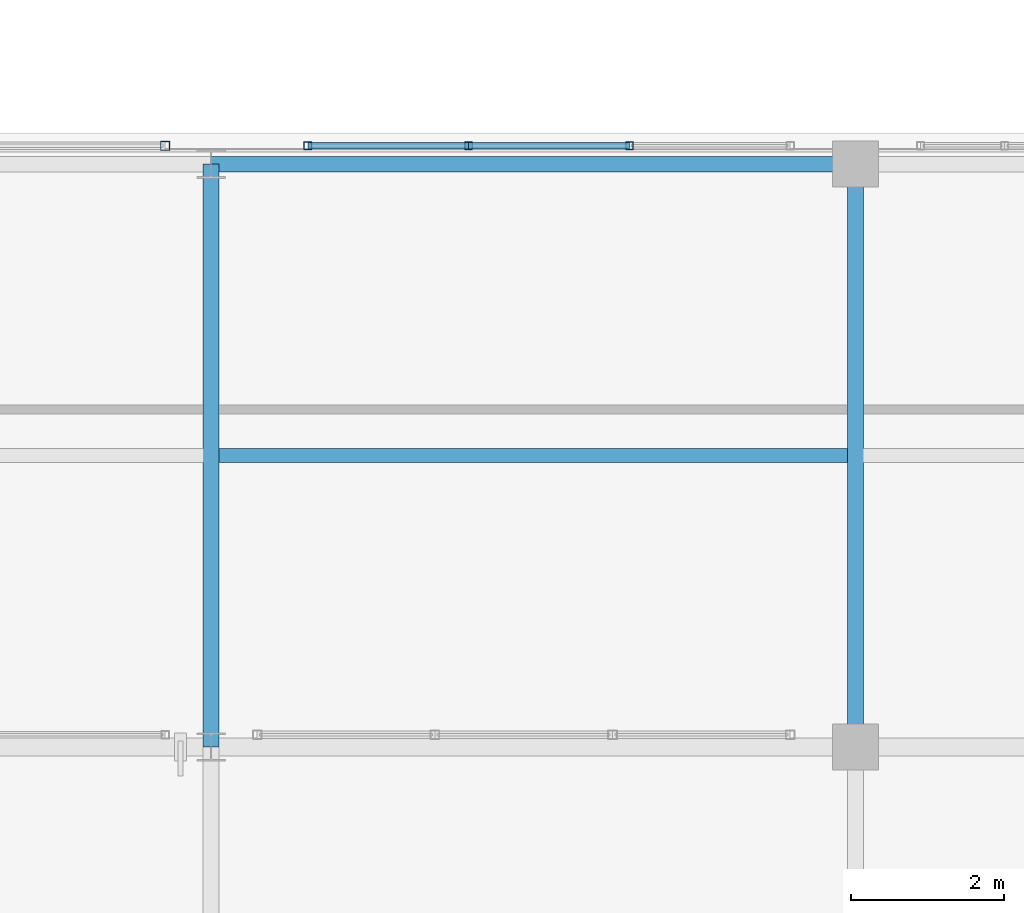
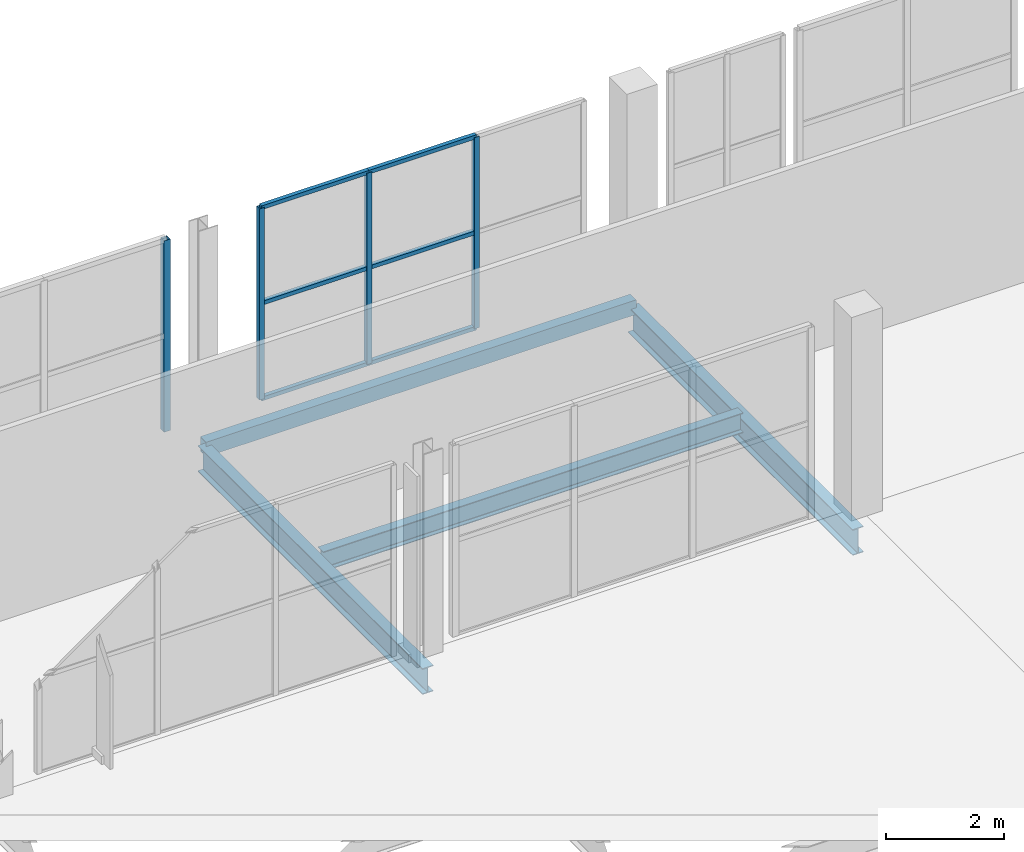
# One storey, part 34 of 217: 10 members, 4 beams, 2 elements without a shape of their own.
"""IFC4 building model written with IfcOpenShell, lengths in metres."""

from ifc_helpers import new_model, si_unit, direction, frame, origin, origin_2d, place, context, subcontext, project, spatial, hollow_rectangle, i_section, extrude, material, material_profile, profile_set, type_object, element, aggregate, save


model = new_model("IFC4")

# Units and contexts
model_context = context("Model", 3, precision=1e-05, world=origin(), true_north=direction((0.0, 1.0)))
body_context = subcontext(model_context, "Body", "Model", "MODEL_VIEW")
ifc_project = project(units=[si_unit("LENGTHUNIT", "METRE"), si_unit("AREAUNIT", "SQUARE_METRE"), si_unit("VOLUMEUNIT", "CUBIC_METRE"), si_unit("PLANEANGLEUNIT", "RADIAN"), si_unit("MASSUNIT", "GRAM", prefix="KILO")], contexts=[model_context])

# Site, building, storey
site_placement = place(None, origin())
site = spatial("IfcSite", under=ifc_project, at=site_placement, CompositionType="ELEMENT")
building_placement = place(site_placement, origin())
building = spatial("IfcBuilding", under=site, at=building_placement, Name="Zuvorla Pavilion Media Centre", CompositionType="ELEMENT")
storey_placement = place(building_placement, frame((0.0, 0.0, 9.60009765625)))
storey = spatial("IfcBuildingStorey", under=building, at=storey_placement, Name="L02", CompositionType="ELEMENT", Elevation=9.60009765625)

# Beams
ifc_material_1 = material(Name="Steel S355", Category="steel")
ifc_material_profile_1 = material_profile(ifc_material_1, hollow_rectangle(XDim=0.199951171875, YDim=0.300048828125, WallThickness=0.012451171875, at=origin_2d()), Name="RHS 300x200x12.5")
ifc_profile_set_1 = profile_set([ifc_material_profile_1], Name="Steel S355")
beam_type_1 = type_object("IfcBeamType", Name="BM-SP-RHS300", PredefinedType="SPANDREL", material=ifc_profile_set_1)
beam_1_placement = place(storey_placement, frame((58.39990234375, 51.60009765625, -0.418212890625), z_axis=(1.0, 0.0, 0.0), x_axis=(0.0, 1.0, 0.0)))
element("IfcBeam", 1, at=beam_1_placement, inside=storey, type_object=beam_type_1, Name="L02 spandrel SP01 840", PredefinedType="SPANDREL", context=body_context, shape_type="SweptSolid", body=[
    extrude(hollow_rectangle(XDim=0.199951171875, YDim=0.300048828125, WallThickness=0.012451171875, at=origin_2d()), origin(), (0.0, 0.0, 1.0), 8.400146484375),
])
ifc_material_profile_2 = material_profile(ifc_material_1, i_section(OverallWidth=0.1787109375, OverallDepth=0.409423828125, WebThickness=0.0087890625, FlangeThickness=0.014404296875, FilletRadius=0.01025390625, at=origin_2d()), Name="UB 406x178x67")
ifc_profile_set_2 = profile_set([ifc_material_profile_2], Name="Steel S355")
beam_type_2 = type_object("IfcBeamType", Name="BM-UB406", PredefinedType="JOIST", material=ifc_profile_set_2)
beam_2_placement = place(storey_placement, frame((58.5, 47.800048828125, -0.472900390625), z_axis=(1.0, 0.0, 0.0), x_axis=(0.0, 1.0, 0.0)))
element("IfcBeam", 2, at=beam_2_placement, inside=storey, type_object=beam_type_2, Name="L02 joist J02 1005", PredefinedType="JOIST", context=body_context, shape_type="SweptSolid", body=[
    extrude(i_section(OverallWidth=0.1787109375, OverallDepth=0.409423828125, WebThickness=0.0087890625, FlangeThickness=0.014404296875, FilletRadius=0.01025390625, at=origin_2d()), origin(), (0.0, 0.0, 1.0), 8.199951171875),
])
ifc_material_profile_3 = material_profile(ifc_material_1, i_section(OverallWidth=0.2099609375, OverallDepth=0.53662109375, WebThickness=0.0107421875, FlangeThickness=0.017333984375, FilletRadius=0.0126953125, at=origin_2d()), Name="UB 533x210x101")
ifc_profile_set_3 = profile_set([ifc_material_profile_3], Name="Steel S355")
beam_type_3 = type_object("IfcBeamType", Name="BM-UB533", PredefinedType="BEAM", material=ifc_profile_set_3)
for number, where, z_axis, x_axis, name in (
    (3, (58.39990234375, 44.0, -0.62646484375), (0.0, 1.0, 0.0), (-1.0, 0.0, 0.0), "L02 beam B08 921"),
    (4, (66.800048828125, 44.0, -0.6962890625), (0.0, 1.0, 0.0), (-1.0, 0.0, 0.0), "L02 beam B08 928"),
):
    element("IfcBeam", number, at=place(storey_placement, frame(where, z_axis=z_axis, x_axis=x_axis)), inside=storey, type_object=beam_type_3, Name=name, PredefinedType="BEAM", context=body_context, shape_type="SweptSolid", body=[
        extrude(i_section(OverallWidth=0.2099609375, OverallDepth=0.53662109375, WebThickness=0.0107421875, FlangeThickness=0.017333984375, FilletRadius=0.0126953125, at=origin_2d()), origin(), (0.0, 0.0, 1.0), 7.60009765625),
    ])

# Curtain wall, members
ifc_material_2 = material(Name="Unitised anodised aluminium and solar glass curtain wall", Category="aluminium")
curtain_wall_type_1 = type_object("IfcCurtainWallType", Name="CW-SYS-36", PredefinedType="USERDEFINED", material=ifc_material_2)
curtain_wall_1_placement = place(storey_placement, origin())
curtain_wall_1 = element("IfcCurtainWall", 5, at=curtain_wall_1_placement, inside=storey, type_object=curtain_wall_type_1, Name="L02 curtain wall CW36 57", ObjectType="CURTAIN WALL", PredefinedType="USERDEFINED")
ifc_material_3 = material(Name="Anodised aluminium 6063-T6", Category="aluminium")
ifc_material_profile_4 = material_profile(ifc_material_3, hollow_rectangle(XDim=0.10009765625, YDim=0.10009765625, WallThickness=0.00439453125, at=origin_2d()), Name="ALU MULL 100x100")
ifc_profile_set_4 = profile_set([ifc_material_profile_4], Name="Anodised aluminium 6063-T6")
member_type_1 = type_object("IfcMemberType", Name="CW-MULL-100", PredefinedType="MULLION", material=ifc_profile_set_4)
member_1_placement = place(storey_placement, frame((59.659912109375, 51.840087890625, 0.0), z_axis=(0.0, 0.0, 1.0), x_axis=(1.0, 0.0, 0.0)))
member_1 = element("IfcMember", 6, at=member_1_placement, type_object=member_type_1, Name="CW36 mullion 1", PredefinedType="MULLION", context=body_context, shape_type="SweptSolid", body=[
    extrude(hollow_rectangle(XDim=0.10009765625, YDim=0.10009765625, WallThickness=0.00439453125, at=origin_2d()), origin(), (0.0, 0.0, 1.0), 3.949951171875),
])
member_2_placement = place(storey_placement, frame((61.756591796875, 51.840087890625, 0.0), z_axis=(0.0, 0.0, 1.0), x_axis=(1.0, 0.0, 0.0)))
member_2 = element("IfcMember", 7, at=member_2_placement, type_object=member_type_1, Name="CW36 mullion 2", PredefinedType="MULLION", context=body_context, shape_type="SweptSolid", body=[
    extrude(hollow_rectangle(XDim=0.10009765625, YDim=0.10009765625, WallThickness=0.00439453125, at=origin_2d()), origin(), (0.0, 0.0, 1.0), 3.949951171875),
])
member_3_placement = place(storey_placement, frame((63.85302734375, 51.840087890625, 0.0), z_axis=(0.0, 0.0, 1.0), x_axis=(1.0, 0.0, 0.0)))
member_3 = element("IfcMember", 8, at=member_3_placement, type_object=member_type_1, Name="CW36 mullion 3", PredefinedType="MULLION", context=body_context, shape_type="SweptSolid", body=[
    extrude(hollow_rectangle(XDim=0.10009765625, YDim=0.10009765625, WallThickness=0.00439453125, at=origin_2d()), origin(), (0.0, 0.0, 1.0), 3.949951171875),
])

# Curtain wall, member
curtain_wall_type_2 = type_object("IfcCurtainWallType", Name="CW-SYS-34", PredefinedType="USERDEFINED", material=ifc_material_2)
curtain_wall_2_placement = place(storey_placement, origin())
curtain_wall_2 = element("IfcCurtainWall", 9, at=curtain_wall_2_placement, inside=storey, type_object=curtain_wall_type_2, Name="L02 curtain wall CW34 55", ObjectType="CURTAIN WALL", PredefinedType="USERDEFINED")
ifc_material_profile_5 = material_profile(ifc_material_3, hollow_rectangle(XDim=0.1201171875, YDim=0.1201171875, WallThickness=0.0048828125, at=origin_2d()), Name="ALU MULL 120x120")
ifc_profile_set_5 = profile_set([ifc_material_profile_5], Name="Anodised aluminium 6063-T6")
member_type_2 = type_object("IfcMemberType", Name="CW-MULL-120", PredefinedType="MULLION", material=ifc_profile_set_5)
member_4_placement = place(storey_placement, frame((57.7998046875, 51.840087890625, 0.0), z_axis=(0.0, 0.0, 1.0), x_axis=(1.0, 0.0, 0.0)))
member_4 = element("IfcMember", 10, at=member_4_placement, type_object=member_type_2, Name="CW34 mullion 4", PredefinedType="MULLION", context=body_context, shape_type="SweptSolid", body=[
    extrude(hollow_rectangle(XDim=0.1201171875, YDim=0.1201171875, WallThickness=0.0048828125, at=origin_2d()), origin(), (0.0, 0.0, 1.0), 3.949951171875),
])
aggregate(curtain_wall_2, [member_4])

# Member
ifc_material_profile_6 = material_profile(ifc_material_3, hollow_rectangle(XDim=0.080078125, YDim=0.080078125, WallThickness=0.00390625, at=origin_2d()), Name="ALU TRAN 80x80")
ifc_profile_set_6 = profile_set([ifc_material_profile_6], Name="Anodised aluminium 6063-T6")
member_type_3 = type_object("IfcMemberType", Name="CW-TRAN-80", PredefinedType="USERDEFINED", material=ifc_profile_set_6)
member_5_placement = place(storey_placement, frame((59.659912109375, 51.840087890625, 0.0), z_axis=(1.0, 0.0, 0.0), x_axis=(0.0, 1.0, 0.0)))
member_5 = element("IfcMember", 11, at=member_5_placement, type_object=member_type_3, Name="CW36 transom 1.1", ObjectType="TRANSOM", PredefinedType="USERDEFINED", context=body_context, shape_type="SweptSolid", body=[
    extrude(hollow_rectangle(XDim=0.080078125, YDim=0.080078125, WallThickness=0.00390625, at=origin_2d()), origin(), (0.0, 0.0, 1.0), 2.0966796875),
])

member_6_placement = place(storey_placement, frame((59.659912109375, 51.840087890625, 1.974853515625), z_axis=(1.0, 0.0, 0.0), x_axis=(0.0, 1.0, 0.0)))
member_6 = element("IfcMember", 12, at=member_6_placement, type_object=member_type_3, Name="CW36 transom 1.2", ObjectType="TRANSOM", PredefinedType="USERDEFINED", context=body_context, shape_type="SweptSolid", body=[
    extrude(hollow_rectangle(XDim=0.080078125, YDim=0.080078125, WallThickness=0.00390625, at=origin_2d()), origin(), (0.0, 0.0, 1.0), 2.0966796875),
])

member_7_placement = place(storey_placement, frame((59.659912109375, 51.840087890625, 3.949951171875), z_axis=(1.0, 0.0, 0.0), x_axis=(0.0, 1.0, 0.0)))
member_7 = element("IfcMember", 13, at=member_7_placement, type_object=member_type_3, Name="CW36 transom 1.3", ObjectType="TRANSOM", PredefinedType="USERDEFINED", context=body_context, shape_type="SweptSolid", body=[
    extrude(hollow_rectangle(XDim=0.080078125, YDim=0.080078125, WallThickness=0.00390625, at=origin_2d()), origin(), (0.0, 0.0, 1.0), 2.0966796875),
])

member_8_placement = place(storey_placement, frame((61.756591796875, 51.840087890625, 0.0), z_axis=(1.0, 0.0, 0.0), x_axis=(0.0, 1.0, 0.0)))
member_8 = element("IfcMember", 14, at=member_8_placement, type_object=member_type_3, Name="CW36 transom 2.1", ObjectType="TRANSOM", PredefinedType="USERDEFINED", context=body_context, shape_type="SweptSolid", body=[
    extrude(hollow_rectangle(XDim=0.080078125, YDim=0.080078125, WallThickness=0.00390625, at=origin_2d()), origin(), (0.0, 0.0, 1.0), 2.096435546875),
])

member_9_placement = place(storey_placement, frame((61.756591796875, 51.840087890625, 1.974853515625), z_axis=(1.0, 0.0, 0.0), x_axis=(0.0, 1.0, 0.0)))
member_9 = element("IfcMember", 15, at=member_9_placement, type_object=member_type_3, Name="CW36 transom 2.2", ObjectType="TRANSOM", PredefinedType="USERDEFINED", context=body_context, shape_type="SweptSolid", body=[
    extrude(hollow_rectangle(XDim=0.080078125, YDim=0.080078125, WallThickness=0.00390625, at=origin_2d()), origin(), (0.0, 0.0, 1.0), 2.096435546875),
])

member_10_placement = place(storey_placement, frame((61.756591796875, 51.840087890625, 3.949951171875), z_axis=(1.0, 0.0, 0.0), x_axis=(0.0, 1.0, 0.0)))
member_10 = element("IfcMember", 16, at=member_10_placement, type_object=member_type_3, Name="CW36 transom 2.3", ObjectType="TRANSOM", PredefinedType="USERDEFINED", context=body_context, shape_type="SweptSolid", body=[
    extrude(hollow_rectangle(XDim=0.080078125, YDim=0.080078125, WallThickness=0.00390625, at=origin_2d()), origin(), (0.0, 0.0, 1.0), 2.096435546875),
])

aggregate(curtain_wall_1, [member_1, member_2, member_3, member_5, member_6, member_7, member_8, member_9, member_10])

save(model, "model.ifc")
